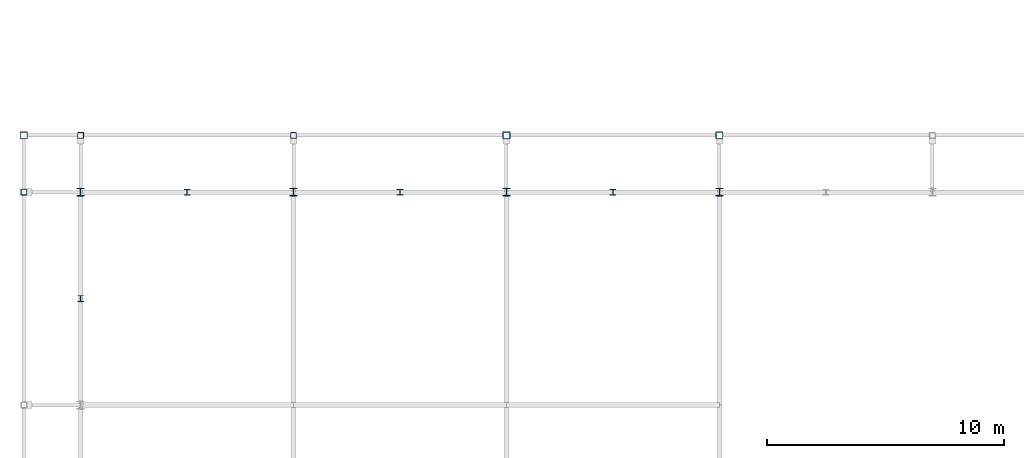
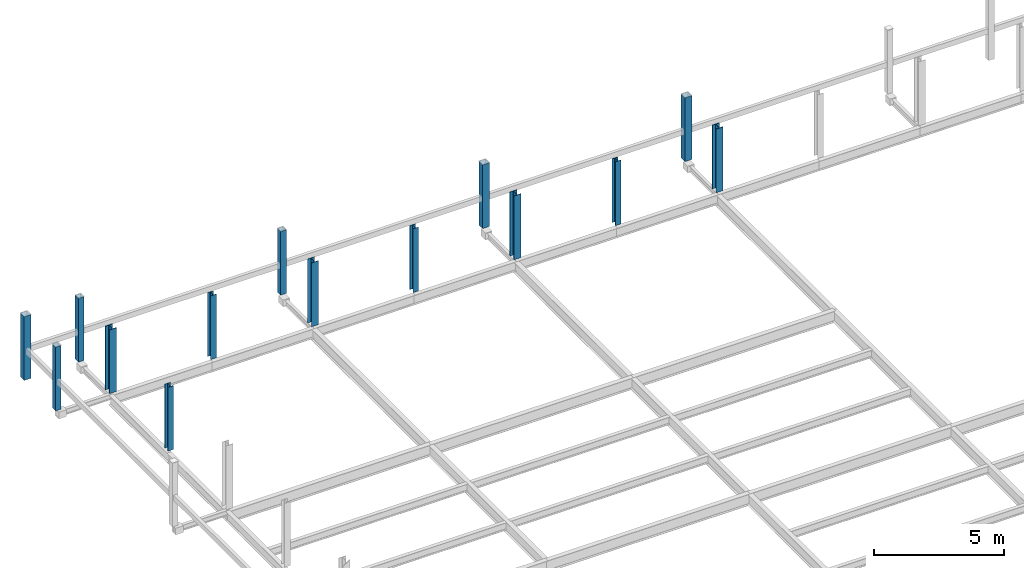
# One storey, part 5 of 16: 14 columns.
"""IFC4 building model written with IfcOpenShell, lengths in metres."""

from ifc_helpers import new_model, si_unit, direction, frame, origin, origin_2d, place, context, subcontext, project, spatial, hollow_rectangle, i_section, extrude, material, material_profile, profile_set, type_object, element, save


model = new_model("IFC4")

# Units and contexts
model_context = context("Model", 3, precision=1e-05, world=origin(), true_north=direction((0.0, 1.0)))
body_context = subcontext(model_context, "Body", "Model", "MODEL_VIEW")
ifc_project = project(units=[si_unit("LENGTHUNIT", "METRE"), si_unit("AREAUNIT", "SQUARE_METRE"), si_unit("VOLUMEUNIT", "CUBIC_METRE"), si_unit("PLANEANGLEUNIT", "RADIAN"), si_unit("MASSUNIT", "GRAM", prefix="KILO"), si_unit("THERMODYNAMICTEMPERATUREUNIT", "KELVIN"), si_unit("POWERUNIT", "WATT")], contexts=[model_context])

# Site, building, storey
site_placement = place(None, origin())
site = spatial("IfcSite", under=ifc_project, at=site_placement, CompositionType="ELEMENT")
building_placement = place(site_placement, origin())
building = spatial("IfcBuilding", under=site, at=building_placement, Name="Tallowbark Science Centre", CompositionType="ELEMENT")
storey_placement = place(building_placement, frame((0.0, 0.0, 23.39990234375)))
storey = spatial("IfcBuildingStorey", under=building, at=storey_placement, Name="L05", CompositionType="ELEMENT", Elevation=23.39990234375)

# Columns
ifc_material_1 = material(Name="White Architectural Painted Steel Grade C350L0 (350 MPa)", Category="steel")
ifc_material_profile_1 = material_profile(ifc_material_1, hollow_rectangle(XDim=0.25, YDim=0.25, WallThickness=0.009033203125, at=origin_2d()), Name="250x250x9.0SHS")
ifc_profile_set_1 = profile_set([ifc_material_profile_1], Name="White Architectural Painted Steel Grade C350L0 (350 MPa)")
column_type_1 = type_object("IfcColumnType", Name="COL-SCR200", PredefinedType="COLUMN", material=ifc_profile_set_1)
for number, where, z_axis, x_axis, name in (
    (1, (58.5, 42.89990234375, 0.0), (0.0, 0.0, 1.0), (1.0, 0.0, 0.0), "Column SCR-N01 L05"),
    (2, (67.5, 42.89990234375, 0.0), (0.0, 0.0, 1.0), (1.0, 0.0, 0.0), "Column SCR-N02 L05"),
    (3, (56.10009765625, 40.5, 0.0), (0.0, 0.0, 1.0), (1.0, 0.0, 0.0), "Column SCR-W05 L05"),
):
    element("IfcColumn", number, at=place(storey_placement, frame(where, z_axis=z_axis, x_axis=x_axis)), inside=storey, type_object=column_type_1, Name=name, PredefinedType="COLUMN", context=body_context, shape_type="SweptSolid", body=[
        extrude(hollow_rectangle(XDim=0.25, YDim=0.25, WallThickness=0.009033203125, at=origin_2d()), origin(), (0.0, 0.0, 1.0), 3.0),
    ])
ifc_material_profile_2 = material_profile(ifc_material_1, hollow_rectangle(XDim=0.300048828125, YDim=0.300048828125, WallThickness=0.010009765625, at=origin_2d()), Name="300x300x10.0SHS")
ifc_profile_set_2 = profile_set([ifc_material_profile_2], Name="White Architectural Painted Steel Grade C350L0 (350 MPa)")
column_type_2 = type_object("IfcColumnType", Name="COL-SCR300", PredefinedType="COLUMN", material=ifc_profile_set_2)
for number, where, z_axis, x_axis, name in (
    (4, (56.10009765625, 42.89990234375, 0.0), (0.0, 0.0, 1.0), (1.0, 0.0, 0.0), "Column SCR-N00 L05"),
    (5, (76.5, 42.89990234375, 0.0), (0.0, 0.0, 1.0), (1.0, 0.0, 0.0), "Column SCR-N03 L05"),
    (6, (85.5, 42.89990234375, 0.0), (0.0, 0.0, 1.0), (1.0, 0.0, 0.0), "Column SCR-N04 L05"),
):
    element("IfcColumn", number, at=place(storey_placement, frame(where, z_axis=z_axis, x_axis=x_axis)), inside=storey, type_object=column_type_2, Name=name, PredefinedType="COLUMN", context=body_context, shape_type="SweptSolid", body=[
        extrude(hollow_rectangle(XDim=0.300048828125, YDim=0.300048828125, WallThickness=0.010009765625, at=origin_2d()), origin(), (0.0, 0.0, 1.0), 3.0),
    ])
ifc_material_2 = material(Name="Structural Steel Grade 300PLUS (300 MPa)", Category="steel")
ifc_material_profile_3 = material_profile(ifc_material_2, i_section(OverallWidth=0.311279296875, OverallDepth=0.3271484375, WebThickness=0.015625, FlangeThickness=0.02490234375, FilletRadius=0.0166015625, at=origin_2d()), Name="310UC158")
ifc_profile_set_3 = profile_set([ifc_material_profile_3], Name="Structural Steel Grade 300PLUS (300 MPa)")
column_type_3 = type_object("IfcColumnType", Name="COL-UC310A", PredefinedType="COLUMN", material=ifc_profile_set_3)
for number, where, z_axis, x_axis, name in (
    (7, (58.5, 40.5, 0.0), (0.0, 0.0, 1.0), (1.0, 0.0, 0.0), "Column CUB-M0_4 L05"),
    (8, (67.5, 40.5, 0.0), (0.0, 0.0, 1.0), (1.0, 0.0, 0.0), "Column CUB-M1_4 L05"),
    (9, (76.5, 40.5, 0.0), (0.0, 0.0, 1.0), (1.0, 0.0, 0.0), "Column CUB-M2_4 L05"),
    (10, (85.5, 40.5, 0.0), (0.0, 0.0, 1.0), (1.0, 0.0, 0.0), "Column CUB-M3_4 L05"),
):
    element("IfcColumn", number, at=place(storey_placement, frame(where, z_axis=z_axis, x_axis=x_axis)), inside=storey, type_object=column_type_3, Name=name, PredefinedType="COLUMN", context=body_context, shape_type="SweptSolid", body=[
        extrude(i_section(OverallWidth=0.311279296875, OverallDepth=0.3271484375, WebThickness=0.015625, FlangeThickness=0.02490234375, FilletRadius=0.0166015625, at=origin_2d()), origin(), (0.0, 0.0, 1.0), 3.0),
    ])
ifc_material_profile_4 = material_profile(ifc_material_2, i_section(OverallWidth=0.256103515625, OverallDepth=0.260009765625, WebThickness=0.010498046875, FlangeThickness=0.017333984375, FilletRadius=0.013916015625, at=origin_2d()), Name="250UC89.5")
ifc_profile_set_4 = profile_set([ifc_material_profile_4], Name="Structural Steel Grade 300PLUS (300 MPa)")
column_type_4 = type_object("IfcColumnType", Name="PIL-UC250", PredefinedType="PILASTER", material=ifc_profile_set_4)
for number, where, z_axis, x_axis, name in (
    (11, (63.0, 40.5, 0.0), (0.0, 0.0, 1.0), (1.0, 0.0, 0.0), "Column CUB-PN-0 L05"),
    (12, (72.0, 40.5, 0.0), (0.0, 0.0, 1.0), (1.0, 0.0, 0.0), "Column CUB-PN-1 L05"),
    (13, (81.0, 40.5, 0.0), (0.0, 0.0, 1.0), (1.0, 0.0, 0.0), "Column CUB-PN-2 L05"),
    (14, (58.5, 36.0, 0.0), (0.0, 0.0, 1.0), (1.0, 0.0, 0.0), "Column CUB-PW-3 L05"),
):
    element("IfcColumn", number, at=place(storey_placement, frame(where, z_axis=z_axis, x_axis=x_axis)), inside=storey, type_object=column_type_4, Name=name, PredefinedType="PILASTER", context=body_context, shape_type="SweptSolid", body=[
        extrude(i_section(OverallWidth=0.256103515625, OverallDepth=0.260009765625, WebThickness=0.010498046875, FlangeThickness=0.017333984375, FilletRadius=0.013916015625, at=origin_2d()), origin(), (0.0, 0.0, 1.0), 3.0),
    ])

save(model, "model.ifc")
